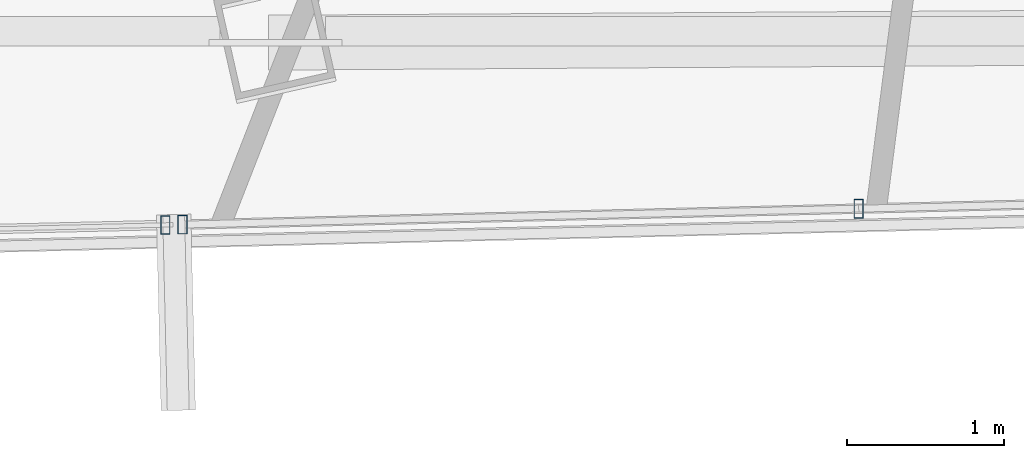
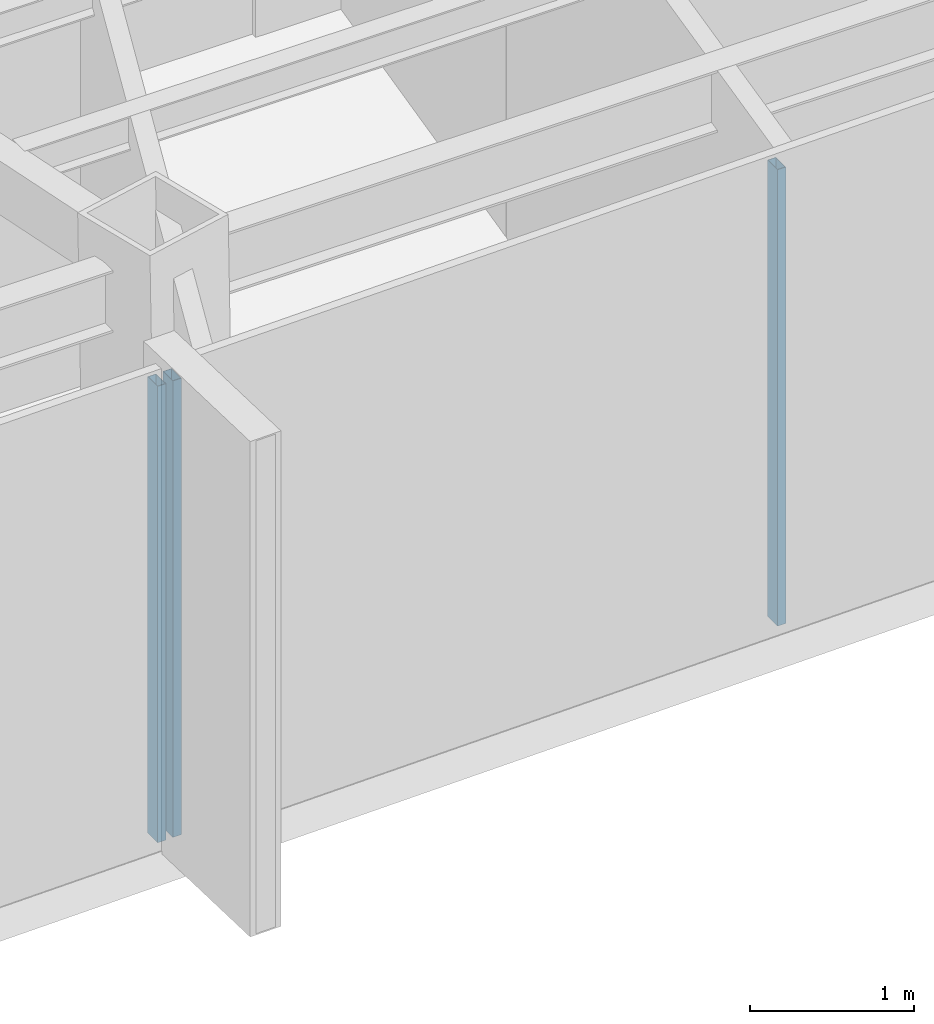
# One storey, part 11 of 46: 3 members, 2 elements without a shape of their own.
"""IFC4 building model written with IfcOpenShell, lengths in metres."""

from ifc_helpers import new_model, si_unit, direction, frame, origin, origin_2d, place, context, subcontext, project, spatial, hollow_rectangle, extrude, source, transform, mapped, material, material_profile, profile_set, type_object, type_shapes, element, aggregate, save


model = new_model("IFC4")

# Units and contexts
model_context = context("Model", 3, precision=1e-05, world=origin(), true_north=direction((0.0, 1.0)))
body_context = subcontext(model_context, "Body", "Model", "MODEL_VIEW")
ifc_project = project(units=[si_unit("LENGTHUNIT", "METRE"), si_unit("AREAUNIT", "SQUARE_METRE"), si_unit("VOLUMEUNIT", "CUBIC_METRE"), si_unit("PLANEANGLEUNIT", "RADIAN"), si_unit("MASSUNIT", "GRAM", prefix="KILO")], contexts=[model_context])

# Site, building, storey
site_placement = place(None, origin())
site = spatial("IfcSite", under=ifc_project, at=site_placement, CompositionType="ELEMENT")
building_placement = place(site_placement, origin())
building = spatial("IfcBuilding", under=site, at=building_placement, Name="Caelisora Broadcast Tower", CompositionType="ELEMENT")
storey_placement = place(building_placement, frame((0.0, 0.0, 251.75)))
storey = spatial("IfcBuildingStorey", under=building, at=storey_placement, Name="L66", CompositionType="ELEMENT", Elevation=251.75)

# Curtain wall, members
ifc_material_1 = material(Name="Unitised Aluminium Insulated Shadow-Box Spandrel Curtain Wall", Category="aluminium")
curtain_wall_type_1 = type_object("IfcCurtainWallType", Name="CW-SP3", PredefinedType="NOTDEFINED", material=ifc_material_1)
curtain_wall_1_placement = place(storey_placement, origin())
curtain_wall_1 = element("IfcCurtainWall", 1, at=curtain_wall_1_placement, inside=storey, type_object=curtain_wall_type_1, Name="L66 curtain wall CW-SP3", PredefinedType="NOTDEFINED")
ifc_material_2 = material(Name="Aluminium 6063-T6 Anodised Terracotta Bronze", Category="aluminium")
ifc_material_profile = material_profile(ifc_material_2, hollow_rectangle(XDim=0.06005859375, YDim=0.1201171875, WallThickness=0.0029296875, at=origin_2d()), Name="Aluminium 6063-T6 Anodised Terracotta Bronze")
ifc_profile_set = profile_set([ifc_material_profile], Name="Aluminium 6063-T6 Anodised Terracotta Bronze")
member_type = type_object("IfcMemberType", Name="CWM-04", PredefinedType="MULLION", material=ifc_profile_set)
shared_shape = source(origin(), body_context, "Body", "SweptSolid", [
    extrude(hollow_rectangle(XDim=0.06005859375, YDim=0.1201171875, WallThickness=0.0029296875, at=origin_2d()), origin(), (0.0, 0.0, 1.0), 3.39990234375),
])
type_shapes(member_type, [shared_shape])
member_1_placement = place(storey_placement, frame((35.84033203125, 8.179931640625, 0.0), z_axis=(0.0, 0.0, 1.0), x_axis=(1.0, 0.0, 0.0)))
member_1 = element("IfcMember", 2, at=member_1_placement, type_object=member_type, Name="L66-CW-B06 mullion #2", PredefinedType="MULLION", context=body_context, shape_type="MappedRepresentation", body=[
    mapped(shared_shape, transform((0.0, 0.0, 0.0), scale=1.0)),
])
member_2_placement = place(storey_placement, frame((31.5234375, 8.078125, 0.0), z_axis=(0.0, 0.0, 1.0), x_axis=(1.0, 0.0, 0.0)))
member_2 = element("IfcMember", 3, at=member_2_placement, type_object=member_type, Name="L66-CW-B06 mullion #3", PredefinedType="MULLION", context=body_context, shape_type="MappedRepresentation", body=[
    mapped(shared_shape, transform((0.0, 0.0, 0.0), scale=1.0)),
])
aggregate(curtain_wall_1, [member_1, member_2])

# Curtain wall, member
ifc_material_3 = material(Name="Unitised Aluminium and Low-E Glass Curtain Wall", Category="glass")
curtain_wall_type_2 = type_object("IfcCurtainWallType", Name="CW-Z5", PredefinedType="NOTDEFINED", material=ifc_material_3)
curtain_wall_2_placement = place(storey_placement, origin())
curtain_wall_2 = element("IfcCurtainWall", 4, at=curtain_wall_2_placement, inside=storey, type_object=curtain_wall_type_2, Name="L66 curtain wall CW-Z5", PredefinedType="NOTDEFINED")
member_3_placement = place(storey_placement, frame((31.41357421875, 8.07568359375, 0.0), z_axis=(0.0, 0.0, 1.0), x_axis=(1.0, 0.0, 0.0)))
member_3 = element("IfcMember", 5, at=member_3_placement, type_object=member_type, Name="L66-CW-B07 mullion #0", PredefinedType="MULLION", context=body_context, shape_type="MappedRepresentation", body=[
    mapped(shared_shape, transform((0.0, 0.0, 0.0), scale=1.0)),
])
aggregate(curtain_wall_2, [member_3])

save(model, "model.ifc")
